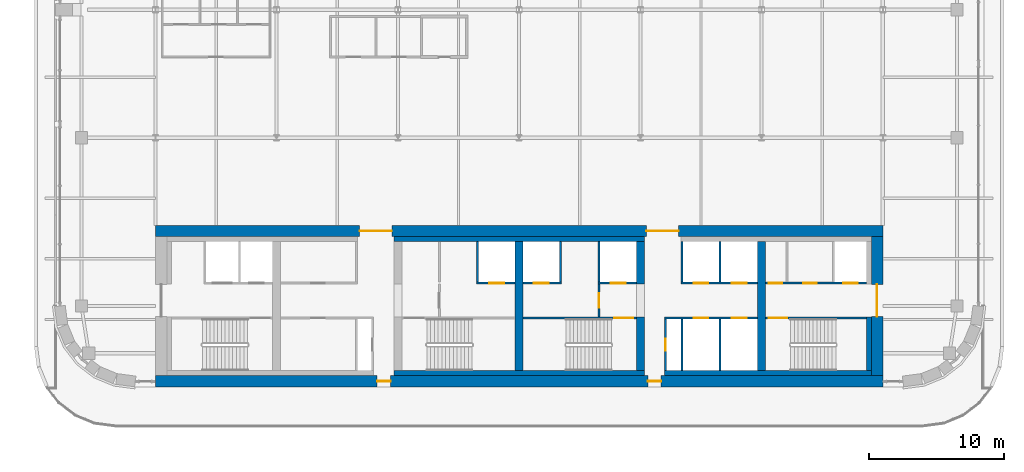
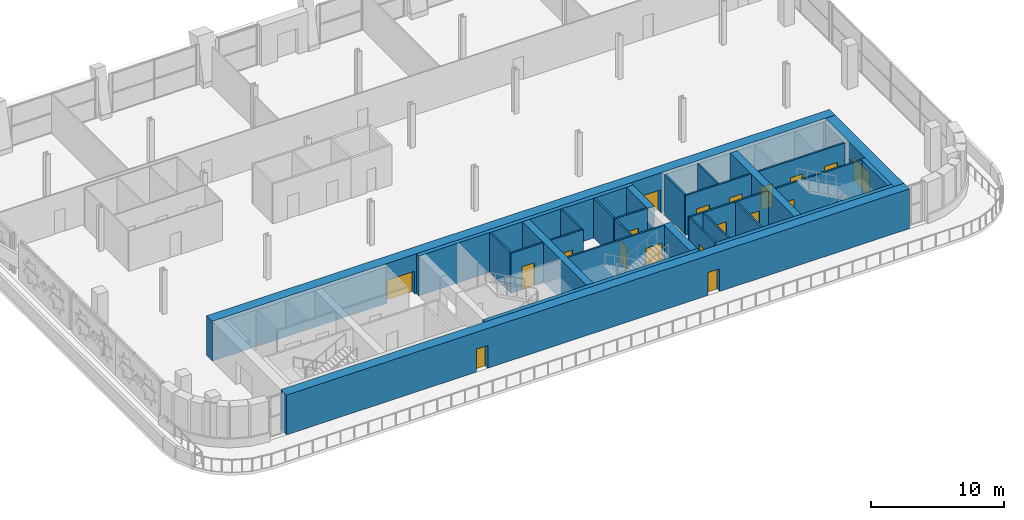
# One storey, part 14 of 23: 28 walls, 19 doors, 19 openings.
"""IFC4 building model written with IfcOpenShell, lengths in metres."""

import ifcopenshell
import ifcopenshell.guid

model = None  # the IFC model being written
_history = None  # IfcOwnerHistory: only IFC2X3 demands one
_inside = {}  # id of a spatial element -> (the spatial element, [elements in it])
_under = {}  # id of a project, library or spatial element -> (it, [spatial elements below it])
_declared = {}  # id of a project -> (the project, [libraries it declares])
_typed = {}  # id of a type object -> (the type object, [elements of that type])
_made_of = {}  # id of a material, layer set ... -> (it, [elements and type objects made of it])


def new_model(schema):
    """Start an empty IFC model of exactly this schema.

    Asked for "IFC4X3", IfcOpenShell would pick the latest addendum, in which some entities
    have other attributes; the version numbers below select the first issue.
    IFC2X3 requires an IfcOwnerHistory on every rooted entity: one is made here for all.
    """
    global model, _history
    if schema == "IFC4X3":
        model = ifcopenshell.file(schema_version=(4, 3, 0, 0))
    else:
        model = ifcopenshell.file(schema=schema)
    _inside.clear()
    _under.clear()
    _declared.clear()
    _typed.clear()
    _made_of.clear()
    _history = None
    if model.schema == "IFC2X3":
        org = make("IfcOrganization", Name="unknown")
        user = make(
            "IfcPersonAndOrganization",
            ThePerson=make("IfcPerson", FamilyName="unknown"),
            TheOrganization=org,
        )
        app = make(
            "IfcApplication",
            ApplicationDeveloper=org,
            Version="unknown",
            ApplicationFullName="unknown",
            ApplicationIdentifier="unknown",
        )
        _history = make(
            "IfcOwnerHistory",
            OwningUser=user,
            OwningApplication=app,
            ChangeAction="ADDED",
            CreationDate=0,
        )
    return model


def make(cls, **values):
    """One entity of the class cls with the attributes given. An attribute that is None is left unset."""
    return model.create_entity(
        cls, **{name: value for name, value in values.items() if value is not None}
    )


def rooted(cls, **values):
    """An entity with a GlobalId (a new one), such as an element, a storey or a relation."""
    return make(cls, GlobalId=ifcopenshell.guid.new(), OwnerHistory=_history, **values)


def si_unit(unit_type, name, prefix=None):
    """IfcSIUnit, for example si_unit("LENGTHUNIT", "METRE", prefix="MILLI")."""
    return make("IfcSIUnit", UnitType=unit_type, Prefix=prefix, Name=name)


def assignment(units):
    """IfcUnitAssignment: the units of a project."""
    return None if units is None else make("IfcUnitAssignment", Units=units)


def point(xyz):
    """IfcCartesianPoint."""
    return None if xyz is None else make("IfcCartesianPoint", Coordinates=xyz)


def direction(xyz):
    """IfcDirection."""
    return None if xyz is None else make("IfcDirection", DirectionRatios=xyz)


def frame(location, z_axis=None, x_axis=None):
    """IfcAxis2Placement3D, a coordinate frame: its origin and axes. An axis left out is left unset."""
    return make(
        "IfcAxis2Placement3D",
        Location=point(location),
        Axis=direction(z_axis),
        RefDirection=direction(x_axis),
    )


def frame_2d(location, x_axis=None):
    """IfcAxis2Placement2D, a coordinate frame in the plane: its origin and x axis."""
    return make(
        "IfcAxis2Placement2D", Location=point(location), RefDirection=direction(x_axis)
    )


def origin():
    """The frame at (0, 0, 0) with its axes left unset."""
    return frame((0.0, 0.0, 0.0))


def place(relative_to, where):
    """IfcLocalPlacement: puts the frame where relative to a parent placement (None: the world)."""
    return make(
        "IfcLocalPlacement", PlacementRelTo=relative_to, RelativePlacement=where
    )


def context(
    kind, dimensions, precision=None, world=None, true_north=None, identifier=None
):
    """IfcGeometricRepresentationContext, for example the 3D "Model" context."""
    return make(
        "IfcGeometricRepresentationContext",
        ContextIdentifier=identifier,
        ContextType=kind,
        CoordinateSpaceDimension=dimensions,
        Precision=precision,
        WorldCoordinateSystem=world,
        TrueNorth=true_north,
    )


def subcontext(parent, identifier, kind, view, scale=None):
    """IfcGeometricRepresentationSubContext, for example "Body" below "Model"."""
    return make(
        "IfcGeometricRepresentationSubContext",
        ContextIdentifier=identifier,
        ContextType=kind,
        ParentContext=parent,
        TargetScale=scale,
        TargetView=view,
    )


def project(units=None, contexts=None):
    """IfcProject with its units and contexts."""
    return rooted(
        "IfcProject",
        Name="project",
        RepresentationContexts=contexts,
        UnitsInContext=assignment(units),
    )


def spatial(cls, under=None, at=None, **own):
    """A site, building, storey or space (cls), placed at a placement, below another one or the project."""
    s = rooted(cls, ObjectPlacement=at, **own)
    if under is not None:
        _under.setdefault(under.id(), (under, []))[1].append(s)
    return s


def profile(cls, at=None, kind="AREA", **sizes):
    """A parametric profile (cls). Its sizes go by their IFC names, for example OverallWidth=200.0."""
    return make(cls, ProfileType=kind, Position=at, **sizes)


def rectangle(**sizes):
    """IfcRectangleProfileDef."""
    return profile("IfcRectangleProfileDef", **sizes)


def extrude(swept, where, along, depth):
    """IfcExtrudedAreaSolid: the profile swept, set in the frame where, extruded along a direction by depth."""
    return make(
        "IfcExtrudedAreaSolid",
        SweptArea=swept,
        Position=where,
        ExtrudedDirection=direction(along),
        Depth=depth,
    )


def shape(context_of_items, identifier, shape_type, items):
    """IfcShapeRepresentation: the items that make up one representation, for example the "Body"."""
    return make(
        "IfcShapeRepresentation",
        ContextOfItems=context_of_items,
        RepresentationIdentifier=identifier,
        RepresentationType=shape_type,
        Items=items,
    )


def material(Name=None, Category=None):
    """IfcMaterial."""
    return make("IfcMaterial", Name=Name, Category=Category)


def layer(
    of_material, thickness, ventilated=None, Name=None, Category=None, Priority=None
):
    """IfcMaterialLayer: one layer of a wall or slab, of a material (None: an air gap)."""
    return make(
        "IfcMaterialLayer",
        Material=of_material,
        LayerThickness=thickness,
        IsVentilated=ventilated,
        Name=Name,
        Category=Category,
        Priority=Priority,
    )


def layer_set(layers, Name=None):
    """IfcMaterialLayerSet."""
    return make("IfcMaterialLayerSet", MaterialLayers=layers, LayerSetName=Name)


def made_of(thing, what):
    """Note that an element or type object is made of a material, layer set ...; save() writes the relation."""
    if what is not None:
        _made_of.setdefault(what.id(), (what, []))[1].append(thing)
    return thing


def type_object(cls, material=None, **own):
    """A type object (cls), such as IfcWallType, which elements share."""
    return made_of(rooted(cls, **own), material)


def element(
    cls,
    number,
    at=None,
    inside=None,
    cuts=None,
    type_object=None,
    material=None,
    context=None,
    identifier="Body",
    shape_type=None,
    held_by="IfcProductDefinitionShape",
    body=None,
    shapes=None,
    **own,
):
    """One element of the class cls, such as IfcWall. Its Tag is "e" and its number.

    at: its placement. inside: the storey or other place that contains it. cuts: it is an
    opening in that element (IfcRelVoidsElement). A single representation is given by context,
    identifier, shape_type and body (its items); several are given by shapes. held_by: the class
    of the entity that holds the representations. save() writes the other relations.
    """
    e = rooted(cls, Tag="e%d" % number, ObjectPlacement=at, **own)
    if body is not None:
        shapes = [shape(context, identifier, shape_type, body)]
    if shapes is not None:
        e.Representation = make(held_by, Representations=shapes)
    if inside is not None:
        _inside.setdefault(inside.id(), (inside, []))[1].append(e)
    if cuts is not None:
        rooted(
            "IfcRelVoidsElement", RelatingBuildingElement=cuts, RelatedOpeningElement=e
        )
    if type_object is not None:
        _typed.setdefault(type_object.id(), (type_object, []))[1].append(e)
    return made_of(e, material)


def fill(opening, filler):
    """IfcRelFillsElement: the door or window that sits in an opening."""
    return rooted(
        "IfcRelFillsElement",
        RelatingOpeningElement=opening,
        RelatedBuildingElement=filler,
    )


def aggregate(whole, parts):
    """IfcRelAggregates: a whole, such as a stair, and the parts it consists of."""
    return rooted("IfcRelAggregates", RelatingObject=whole, RelatedObjects=parts)


def save(model, path):
    """Write the relations noted so far, then the file.

    IfcRelAggregates (storeys below a building ...), IfcRelContainedInSpatialStructure (elements
    in a storey), IfcRelDefinesByType, IfcRelAssociatesMaterial and IfcRelDeclares: one each for
    every whole, place, type object, material and project.
    """
    for whole, parts in _under.values():
        aggregate(whole, parts)
    for where, things in _inside.values():
        rooted(
            "IfcRelContainedInSpatialStructure",
            RelatedElements=things,
            RelatingStructure=where,
        )
    for kind, things in _typed.values():
        rooted("IfcRelDefinesByType", RelatedObjects=things, RelatingType=kind)
    for what, things in _made_of.values():
        rooted("IfcRelAssociatesMaterial", RelatedObjects=things, RelatingMaterial=what)
    for by, libraries in _declared.values():
        rooted("IfcRelDeclares", RelatingContext=by, RelatedDefinitions=libraries)
    model.write(path)


model = new_model("IFC4")

# Units and contexts
model_context = context("Model", 3, precision=1e-05, world=origin(), true_north=direction((0.0, 1.0)))
body_context = subcontext(model_context, "Body", "Model", "MODEL_VIEW")
ifc_project = project(units=[si_unit("LENGTHUNIT", "METRE"), si_unit("AREAUNIT", "SQUARE_METRE"), si_unit("VOLUMEUNIT", "CUBIC_METRE"), si_unit("PLANEANGLEUNIT", "RADIAN"), si_unit("MASSUNIT", "GRAM", prefix="KILO")], contexts=[model_context])

# Site, building, storey
site_placement = place(None, origin())
site = spatial("IfcSite", under=ifc_project, at=site_placement, CompositionType="ELEMENT")
building_placement = place(site_placement, origin())
building = spatial("IfcBuilding", under=site, at=building_placement, Name="Zellij Exchange Tower", CompositionType="ELEMENT")
storey_placement = place(building_placement, frame((0.0, 0.0, 212.5)))
storey = spatial("IfcBuildingStorey", under=building, at=storey_placement, Name="L49", CompositionType="ELEMENT", Elevation=212.5)

# Walls
ifc_material_1 = material(Name="Concrete C60/75", Category="concrete")
ifc_layer_1 = layer(ifc_material_1, 0.60009765625)
ifc_layer_set_1 = layer_set([ifc_layer_1], Name="Concrete C60/75")
wall_type_1 = type_object("IfcWallType", Name="CORE-CW 600 C60/75", PredefinedType="SHEAR", material=ifc_layer_set_1)
wall_1_placement = place(storey_placement, frame((0.0, -12.800048828125, 0.0), z_axis=(0.0, 0.0, 1.0), x_axis=(0.0, 1.0, 0.0)))
element("IfcWall", 1, at=wall_1_placement, inside=storey, type_object=wall_type_1, Name="Core cross wall x 0 L49", PredefinedType="SHEAR", context=body_context, shape_type="SweptSolid", body=[
    extrude(rectangle(XDim=9.60009765625, YDim=0.60009765625, at=frame_2d((4.800048828125, 0.0))), origin(), (0.0, 0.0, 1.0), 3.64990234375),
])
wall_2_placement = place(storey_placement, frame((9.0, -12.800048828125, 0.0), z_axis=(0.0, 0.0, 1.0), x_axis=(0.0, 1.0, 0.0)))
element("IfcWall", 2, at=wall_2_placement, inside=storey, type_object=wall_type_1, Name="Core cross wall pier x 9 a L49", PredefinedType="SHEAR", context=body_context, shape_type="SweptSolid", body=[
    extrude(rectangle(XDim=4.0, YDim=0.60009765625, at=frame_2d((2.0, 0.0))), origin(), (0.0, 0.0, 1.0), 3.64990234375),
])
wall_3_placement = place(storey_placement, frame((9.0, -6.375, 0.0), z_axis=(0.0, 0.0, 1.0), x_axis=(0.0, 1.0, 0.0)))
element("IfcWall", 3, at=wall_3_placement, inside=storey, type_object=wall_type_1, Name="Core cross wall pier x 9 b L49", PredefinedType="SHEAR", context=body_context, shape_type="SweptSolid", body=[
    extrude(rectangle(XDim=3.175048828125, YDim=0.60009765625, at=frame_2d((1.58740234375, 0.0))), origin(), (0.0, 0.0, 1.0), 3.64990234375),
])
wall_4_placement = place(storey_placement, frame((18.0, -12.800048828125, 0.0), z_axis=(0.0, 0.0, 1.0), x_axis=(0.0, 1.0, 0.0)))
element("IfcWall", 4, at=wall_4_placement, inside=storey, type_object=wall_type_1, Name="Core cross wall x 18 L49", PredefinedType="SHEAR", context=body_context, shape_type="SweptSolid", body=[
    extrude(rectangle(XDim=9.60009765625, YDim=0.60009765625, at=frame_2d((4.800048828125, 0.0))), origin(), (0.0, 0.0, 1.0), 3.64990234375),
])
ifc_material_2 = material(Name="Concrete C30/37", Category="concrete")
ifc_layer_2 = layer(ifc_material_2, 0.35009765625)
ifc_layer_set_2 = layer_set([ifc_layer_2], Name="Concrete C30/37")
wall_type_2 = type_object("IfcWallType", Name="CORE-LW 350 C30/37", PredefinedType="SHEAR", material=ifc_layer_set_2)
for number, where, z_axis, x_axis, name in (
    (5, (-9.300048828125, -3.02490234375, 0.0), (0.0, 0.0, 1.0), (1.0, 0.0, 0.0), "Core wall lining front.1 L49"),
    (6, (-9.300048828125, -12.97509765625, 0.0), (0.0, 0.0, 1.0), (1.0, 0.0, 0.0), "Core wall lining rear.1 L49"),
):
    element("IfcWall", number, at=place(storey_placement, frame(where, z_axis=z_axis, x_axis=x_axis)), inside=storey, type_object=wall_type_2, Name=name, PredefinedType="SHEAR", context=body_context, shape_type="SweptSolid", body=[
        extrude(rectangle(XDim=18.60009765625, YDim=0.35009765625, at=frame_2d((9.300048828125, 0.0))), origin(), (0.0, 0.0, 1.0), 3.64990234375),
    ])
wall_5_placement = place(storey_placement, frame((10.800048828125, -12.97509765625, 0.0), z_axis=(0.0, 0.0, 1.0), x_axis=(1.0, 0.0, 0.0)))
element("IfcWall", 7, at=wall_5_placement, inside=storey, type_object=wall_type_2, Name="Core wall lining rear.2 L49", PredefinedType="SHEAR", context=body_context, shape_type="SweptSolid", body=[
    extrude(rectangle(XDim=15.349853515625, YDim=0.35009765625, at=frame_2d((7.6748046875, 0.0))), origin(), (0.0, 0.0, 1.0), 3.64990234375),
])
wall_6_placement = place(storey_placement, frame((25.97509765625, -12.800048828125, 0.0), z_axis=(0.0, 0.0, 1.0), x_axis=(0.0, 1.0, 0.0)))
element("IfcWall", 8, at=wall_6_placement, inside=storey, type_object=wall_type_2, Name="Core wall lining end e.0 L49", PredefinedType="SHEAR", context=body_context, shape_type="SweptSolid", body=[
    extrude(rectangle(XDim=4.0, YDim=0.35009765625, at=frame_2d((2.0, 0.0))), origin(), (0.0, 0.0, 1.0), 3.64990234375),
])

# Wall, opening, door
ifc_material_3 = material(Name="Gypsum shaft wall system")
ifc_layer_3 = layer(ifc_material_3, 0.14990234375)
ifc_layer_set_3 = layer_set([ifc_layer_3], Name="Gypsum shaft wall system")
wall_type_3 = type_object("IfcWallType", Name="CORE-PW 150 Firefighting lobby wall", PredefinedType="PARTITIONING", material=ifc_layer_set_3)
wall_7_placement = place(storey_placement, frame((5.925048828125, -8.800048828125, 0.0), z_axis=(0.0, 0.0, 1.0), x_axis=(0.0, 1.0, 0.0)))
wall_7 = element("IfcWall", 9, at=wall_7_placement, inside=storey, type_object=wall_type_3, Name="Firefighting lobby wall L49", PredefinedType="PARTITIONING", context=body_context, shape_type="SweptSolid", body=[
    extrude(rectangle(XDim=2.425048828125, YDim=0.14990234375, at=frame_2d((1.21240234375, 0.0))), origin(), (0.0, 0.0, 1.0), 3.64990234375),
])
opening_1_placement = place(wall_7_placement, frame((0.662109375, 0.0, 0.0)))
opening_1 = element("IfcOpeningElement", 10, at=opening_1_placement, cuts=wall_7, Name="Opening CA-26.14", PredefinedType="OPENING", context=body_context, shape_type="SweptSolid", body=[
    extrude(rectangle(XDim=1.10009765625, YDim=2.10009765625, at=frame_2d((0.550048828125, 1.050048828125))), frame((0.0, 0.0869140625, 0.0), z_axis=(0.0, -1.0, 0.0), x_axis=(1.0, 0.0, 0.0)), (0.0, 0.0, 1.0), 0.173828125),
])
ifc_material_4 = material(Name="Hollow metal fire door")
door_type_1 = type_object("IfcDoorType", Name="CORE-D F Firefighting lobby door 1100x2100 1 HR", OperationType="NOTDEFINED", PredefinedType="DOOR", material=ifc_material_4)
door_1_placement = place(opening_1_placement, origin())
door_1 = element("IfcDoor", 11, at=door_1_placement, inside=storey, type_object=door_type_1, Name="Firefighting lobby door CA-26.14", OperationType="SINGLE_SWING_RIGHT", OverallHeight=2.10009765625, OverallWidth=1.10009765625, PredefinedType="DOOR", context=body_context, shape_type="SweptSolid", body=[
    extrude(rectangle(XDim=1.10009765625, YDim=2.10009765625, at=frame_2d((0.550048828125, 1.050048828125))), frame((0.0, 0.02490234375, 0.0), z_axis=(0.0, -1.0, 0.0), x_axis=(1.0, 0.0, 0.0)), (0.0, 0.0, 1.0), 0.050048828125),
])
fill(opening_1, door_1)

ifc_material_5 = material(Name="Gypsum board partition")
ifc_layer_4 = layer(ifc_material_5, 0.14990234375)
ifc_layer_set_4 = layer_set([ifc_layer_4], Name="Gypsum board partition")
wall_type_4 = type_object("IfcWallType", Name="CORE-PW 150 Lift lobby wall", PredefinedType="PARTITIONING", material=ifc_layer_set_4)
wall_8_placement = place(storey_placement, frame((10.875, -12.800048828125, 0.0), z_axis=(0.0, 0.0, 1.0), x_axis=(0.0, 1.0, 0.0)))
wall_8 = element("IfcWall", 12, at=wall_8_placement, inside=storey, type_object=wall_type_4, Name="Lift lobby wall L49", PredefinedType="PARTITIONING", context=body_context, shape_type="SweptSolid", body=[
    extrude(rectangle(XDim=3.85009765625, YDim=0.14990234375, at=frame_2d((1.925048828125, 0.0))), origin(), (0.0, 0.0, 1.0), 3.64990234375),
])
opening_2_placement = place(wall_8_placement, frame((1.47509765625, 0.0, 0.0)))
opening_2 = element("IfcOpeningElement", 13, at=opening_2_placement, cuts=wall_8, Name="Opening CA-26.19", PredefinedType="OPENING", context=body_context, shape_type="SweptSolid", body=[
    extrude(rectangle(XDim=0.89990234375, YDim=2.10009765625, at=frame_2d((0.449951171875, 1.050048828125))), frame((0.0, 0.0869140625, 0.0), z_axis=(0.0, -1.0, 0.0), x_axis=(1.0, 0.0, 0.0)), (0.0, 0.0, 1.0), 0.173828125),
])
door_type_2 = type_object("IfcDoorType", Name="CORE-D RD Riser door 900x2100 1.5 HR", OperationType="NOTDEFINED", PredefinedType="DOOR", material=ifc_material_4)
door_2_placement = place(opening_2_placement, origin())
door_2 = element("IfcDoor", 14, at=door_2_placement, inside=storey, type_object=door_type_2, Name="Riser door CA-26.19", OperationType="SINGLE_SWING_LEFT", OverallHeight=2.10009765625, OverallWidth=0.89990234375, PredefinedType="DOOR", context=body_context, shape_type="SweptSolid", body=[
    extrude(rectangle(XDim=0.89990234375, YDim=2.10009765625, at=frame_2d((0.449951171875, 1.050048828125))), frame((0.0, 0.02490234375, 0.0), z_axis=(0.0, -1.0, 0.0), x_axis=(1.0, 0.0, 0.0)), (0.0, 0.0, 1.0), 0.050048828125),
])
fill(opening_2, door_2)

# Walls
ifc_layer_5 = layer(ifc_material_3, 0.14990234375)
ifc_layer_set_5 = layer_set([ifc_layer_5], Name="Gypsum shaft wall system")
wall_type_5 = type_object("IfcWallType", Name="CORE-PW 150 Lift shaft wall", PredefinedType="PARTITIONING", material=ifc_layer_set_5)
for number, where, z_axis, x_axis, name in (
    (15, (-3.074951171875, -6.22509765625, 0.0), (0.0, 0.0, 1.0), (0.0, 1.0, 0.0), "Lift shaft wall L49"),
    (16, (3.074951171875, -6.22509765625, 0.0), (0.0, 0.0, 1.0), (0.0, 1.0, 0.0), "Lift shaft wall L49"),
    (17, (5.925048828125, -6.22509765625, 0.0), (0.0, 0.0, 1.0), (0.0, 1.0, 0.0), "Lift shaft wall L49"),
    (18, (12.074951171875, -6.22509765625, 0.0), (0.0, 0.0, 1.0), (0.0, 1.0, 0.0), "Lift shaft wall L49"),
    (19, (14.925048828125, -6.22509765625, 0.0), (0.0, 0.0, 1.0), (0.0, 1.0, 0.0), "Lift shaft wall L49"),
):
    element("IfcWall", number, at=place(storey_placement, frame(where, z_axis=z_axis, x_axis=x_axis)), inside=storey, type_object=wall_type_5, Name=name, PredefinedType="PARTITIONING", context=body_context, shape_type="SweptSolid", body=[
        extrude(rectangle(XDim=3.025146484375, YDim=0.14990234375, at=frame_2d((1.5126953125, 0.0))), origin(), (0.0, 0.0, 1.0), 3.64990234375),
    ])
for number, where, z_axis, x_axis, name in (
    (20, (12.074951171875, -12.800048828125, 0.0), (0.0, 0.0, 1.0), (0.0, 1.0, 0.0), "Lift shaft wall L49"),
    (21, (14.925048828125, -12.800048828125, 0.0), (0.0, 0.0, 1.0), (0.0, 1.0, 0.0), "Lift shaft wall L49"),
):
    element("IfcWall", number, at=place(storey_placement, frame(where, z_axis=z_axis, x_axis=x_axis)), inside=storey, type_object=wall_type_5, Name=name, PredefinedType="PARTITIONING", context=body_context, shape_type="SweptSolid", body=[
        extrude(rectangle(XDim=3.85009765625, YDim=0.14990234375, at=frame_2d((1.925048828125, 0.0))), origin(), (0.0, 0.0, 1.0), 3.64990234375),
    ])

# Wall, opening, door
wall_9_placement = place(storey_placement, frame((-3.14990234375, -6.300048828125, 0.0), z_axis=(0.0, 0.0, 1.0), x_axis=(1.0, 0.0, 0.0)))
wall_9 = element("IfcWall", 22, at=wall_9_placement, inside=storey, type_object=wall_type_5, Name="Lift shaft wall L49", PredefinedType="PARTITIONING", context=body_context, shape_type="SweptSolid", body=[
    extrude(rectangle(XDim=2.849853515625, YDim=0.14990234375, at=frame_2d((1.4248046875, 0.0))), origin(), (0.0, 0.0, 1.0), 3.64990234375),
])
opening_3_placement = place(wall_9_placement, frame((0.949951171875, 0.0, 0.0)))
opening_3 = element("IfcOpeningElement", 23, at=opening_3_placement, cuts=wall_9, Name="Opening CA-26.12", PredefinedType="OPENING", context=body_context, shape_type="SweptSolid", body=[
    extrude(rectangle(XDim=1.10009765625, YDim=2.10009765625, at=frame_2d((0.550048828125, 1.050048828125))), frame((0.0, 0.0869140625, 0.0), z_axis=(0.0, -1.0, 0.0), x_axis=(1.0, 0.0, 0.0)), (0.0, 0.0, 1.0), 0.173828125),
])
door_type_3 = type_object("IfcDoorType", Name="CORE-D LD Lift landing door 1100x2100 1.5 HR", OperationType="NOTDEFINED", PredefinedType="DOOR", material=ifc_material_4)
door_3_placement = place(opening_3_placement, origin())
door_3 = element("IfcDoor", 24, at=door_3_placement, inside=storey, type_object=door_type_3, Name="Lift landing door CA-26.12", OperationType="SLIDING_TO_RIGHT", OverallHeight=2.10009765625, OverallWidth=1.10009765625, PredefinedType="DOOR", context=body_context, shape_type="SweptSolid", body=[
    extrude(rectangle(XDim=1.10009765625, YDim=2.10009765625, at=frame_2d((0.550048828125, 1.050048828125))), frame((0.0, 0.02490234375, 0.0), z_axis=(0.0, -1.0, 0.0), x_axis=(1.0, 0.0, 0.0)), (0.0, 0.0, 1.0), 0.050048828125),
])
fill(opening_3, door_3)

wall_10_placement = place(storey_placement, frame((0.300048828125, -6.300048828125, 0.0), z_axis=(0.0, 0.0, 1.0), x_axis=(1.0, 0.0, 0.0)))
wall_10 = element("IfcWall", 25, at=wall_10_placement, inside=storey, type_object=wall_type_5, Name="Lift shaft wall L49", PredefinedType="PARTITIONING", context=body_context, shape_type="SweptSolid", body=[
    extrude(rectangle(XDim=2.849853515625, YDim=0.14990234375, at=frame_2d((1.4248046875, 0.0))), origin(), (0.0, 0.0, 1.0), 3.64990234375),
])
opening_4_placement = place(wall_10_placement, frame((0.800048828125, 0.0, 0.0)))
opening_4 = element("IfcOpeningElement", 26, at=opening_4_placement, cuts=wall_10, Name="Opening CA-26.13", PredefinedType="OPENING", context=body_context, shape_type="SweptSolid", body=[
    extrude(rectangle(XDim=1.10009765625, YDim=2.10009765625, at=frame_2d((0.550048828125, 1.050048828125))), frame((0.0, 0.0869140625, 0.0), z_axis=(0.0, -1.0, 0.0), x_axis=(1.0, 0.0, 0.0)), (0.0, 0.0, 1.0), 0.173828125),
])
door_4_placement = place(opening_4_placement, origin())
door_4 = element("IfcDoor", 27, at=door_4_placement, inside=storey, type_object=door_type_3, Name="Lift landing door CA-26.13", OperationType="SLIDING_TO_LEFT", OverallHeight=2.10009765625, OverallWidth=1.10009765625, PredefinedType="DOOR", context=body_context, shape_type="SweptSolid", body=[
    extrude(rectangle(XDim=1.10009765625, YDim=2.10009765625, at=frame_2d((0.550048828125, 1.050048828125))), frame((0.0, 0.02490234375, 0.0), z_axis=(0.0, -1.0, 0.0), x_axis=(1.0, 0.0, 0.0)), (0.0, 0.0, 1.0), 0.050048828125),
])
fill(opening_4, door_4)

wall_11_placement = place(storey_placement, frame((5.85009765625, -6.300048828125, 0.0), z_axis=(0.0, 0.0, 1.0), x_axis=(1.0, 0.0, 0.0)))
wall_11 = element("IfcWall", 28, at=wall_11_placement, inside=storey, type_object=wall_type_5, Name="Lift shaft wall L49", PredefinedType="PARTITIONING", context=body_context, shape_type="SweptSolid", body=[
    extrude(rectangle(XDim=2.849853515625, YDim=0.14990234375, at=frame_2d((1.4248046875, 0.0))), origin(), (0.0, 0.0, 1.0), 3.64990234375),
])
opening_5_placement = place(wall_11_placement, frame((0.949951171875, 0.0, 0.0)))
opening_5 = element("IfcOpeningElement", 29, at=opening_5_placement, cuts=wall_11, Name="Opening CA-26.15", PredefinedType="OPENING", context=body_context, shape_type="SweptSolid", body=[
    extrude(rectangle(XDim=1.10009765625, YDim=2.10009765625, at=frame_2d((0.550048828125, 1.050048828125))), frame((0.0, 0.0869140625, 0.0), z_axis=(0.0, -1.0, 0.0), x_axis=(1.0, 0.0, 0.0)), (0.0, 0.0, 1.0), 0.173828125),
])
door_5_placement = place(opening_5_placement, origin())
door_5 = element("IfcDoor", 30, at=door_5_placement, inside=storey, type_object=door_type_3, Name="Lift landing door CA-26.15", OperationType="SLIDING_TO_LEFT", OverallHeight=2.10009765625, OverallWidth=1.10009765625, PredefinedType="DOOR", context=body_context, shape_type="SweptSolid", body=[
    extrude(rectangle(XDim=1.10009765625, YDim=2.10009765625, at=frame_2d((0.550048828125, 1.050048828125))), frame((0.0, 0.02490234375, 0.0), z_axis=(0.0, -1.0, 0.0), x_axis=(1.0, 0.0, 0.0)), (0.0, 0.0, 1.0), 0.050048828125),
])
fill(opening_5, door_5)

# Wall, openings, doors
wall_12_placement = place(storey_placement, frame((12.0, -6.300048828125, 0.0), z_axis=(0.0, 0.0, 1.0), x_axis=(1.0, 0.0, 0.0)))
wall_12 = element("IfcWall", 31, at=wall_12_placement, inside=storey, type_object=wall_type_5, Name="Lift shaft wall L49", PredefinedType="PARTITIONING", context=body_context, shape_type="SweptSolid", body=[
    extrude(rectangle(XDim=5.699951171875, YDim=0.14990234375, at=frame_2d((2.85009765625, 0.0))), origin(), (0.0, 0.0, 1.0), 3.64990234375),
])
opening_6_placement = place(wall_12_placement, frame((0.949951171875, 0.0, 0.0)))
opening_6 = element("IfcOpeningElement", 32, at=opening_6_placement, cuts=wall_12, Name="Opening CA-26.21", PredefinedType="OPENING", context=body_context, shape_type="SweptSolid", body=[
    extrude(rectangle(XDim=1.10009765625, YDim=2.10009765625, at=frame_2d((0.550048828125, 1.050048828125))), frame((0.0, 0.0869140625, 0.0), z_axis=(0.0, -1.0, 0.0), x_axis=(1.0, 0.0, 0.0)), (0.0, 0.0, 1.0), 0.173828125),
])
opening_7_placement = place(wall_12_placement, frame((3.800048828125, 0.0, 0.0)))
opening_7 = element("IfcOpeningElement", 33, at=opening_7_placement, cuts=wall_12, Name="Opening CA-26.23", PredefinedType="OPENING", context=body_context, shape_type="SweptSolid", body=[
    extrude(rectangle(XDim=1.10009765625, YDim=2.10009765625, at=frame_2d((0.550048828125, 1.050048828125))), frame((0.0, 0.0869140625, 0.0), z_axis=(0.0, -1.0, 0.0), x_axis=(1.0, 0.0, 0.0)), (0.0, 0.0, 1.0), 0.173828125),
])
door_6_placement = place(opening_6_placement, origin())
door_6 = element("IfcDoor", 34, at=door_6_placement, inside=storey, type_object=door_type_3, Name="Lift landing door CA-26.21", OperationType="SLIDING_TO_LEFT", OverallHeight=2.10009765625, OverallWidth=1.10009765625, PredefinedType="DOOR", context=body_context, shape_type="SweptSolid", body=[
    extrude(rectangle(XDim=1.10009765625, YDim=2.10009765625, at=frame_2d((0.550048828125, 1.050048828125))), frame((0.0, 0.02490234375, 0.0), z_axis=(0.0, -1.0, 0.0), x_axis=(1.0, 0.0, 0.0)), (0.0, 0.0, 1.0), 0.050048828125),
])
fill(opening_6, door_6)
door_7_placement = place(opening_7_placement, origin())
door_7 = element("IfcDoor", 35, at=door_7_placement, inside=storey, type_object=door_type_3, Name="Lift landing door CA-26.23", OperationType="SLIDING_TO_LEFT", OverallHeight=2.10009765625, OverallWidth=1.10009765625, PredefinedType="DOOR", context=body_context, shape_type="SweptSolid", body=[
    extrude(rectangle(XDim=1.10009765625, YDim=2.10009765625, at=frame_2d((0.550048828125, 1.050048828125))), frame((0.0, 0.02490234375, 0.0), z_axis=(0.0, -1.0, 0.0), x_axis=(1.0, 0.0, 0.0)), (0.0, 0.0, 1.0), 0.050048828125),
])
fill(opening_7, door_7)

wall_13_placement = place(storey_placement, frame((18.300048828125, -6.300048828125, 0.0), z_axis=(0.0, 0.0, 1.0), x_axis=(1.0, 0.0, 0.0)))
wall_13 = element("IfcWall", 36, at=wall_13_placement, inside=storey, type_object=wall_type_5, Name="Lift shaft wall L49", PredefinedType="PARTITIONING", context=body_context, shape_type="SweptSolid", body=[
    extrude(rectangle(XDim=7.5, YDim=0.14990234375, at=frame_2d((3.75, 0.0))), origin(), (0.0, 0.0, 1.0), 3.64990234375),
])
opening_8_placement = place(wall_13_placement, frame((0.25, 0.0, 0.0)))
opening_8 = element("IfcOpeningElement", 37, at=opening_8_placement, cuts=wall_13, Name="Opening CA-26.24", PredefinedType="OPENING", context=body_context, shape_type="SweptSolid", body=[
    extrude(rectangle(XDim=1.0, YDim=2.10009765625, at=frame_2d((0.5, 1.050048828125))), frame((0.0, 0.0869140625, 0.0), z_axis=(0.0, -1.0, 0.0), x_axis=(1.0, 0.0, 0.0)), (0.0, 0.0, 1.0), 0.173828125),
])
opening_9_placement = place(wall_13_placement, frame((2.800048828125, 0.0, 0.0)))
opening_9 = element("IfcOpeningElement", 38, at=opening_9_placement, cuts=wall_13, Name="Opening CA-26.26", PredefinedType="OPENING", context=body_context, shape_type="SweptSolid", body=[
    extrude(rectangle(XDim=1.0, YDim=2.10009765625, at=frame_2d((0.5, 1.050048828125))), frame((0.0, 0.0869140625, 0.0), z_axis=(0.0, -1.0, 0.0), x_axis=(1.0, 0.0, 0.0)), (0.0, 0.0, 1.0), 0.173828125),
])
opening_10_placement = place(wall_13_placement, frame((5.75, 0.0, 0.0)))
opening_10 = element("IfcOpeningElement", 39, at=opening_10_placement, cuts=wall_13, Name="Opening CA-26.27", PredefinedType="OPENING", context=body_context, shape_type="SweptSolid", body=[
    extrude(rectangle(XDim=1.10009765625, YDim=2.10009765625, at=frame_2d((0.550048828125, 1.050048828125))), frame((0.0, 0.0869140625, 0.0), z_axis=(0.0, -1.0, 0.0), x_axis=(1.0, 0.0, 0.0)), (0.0, 0.0, 1.0), 0.173828125),
])
door_type_4 = type_object("IfcDoorType", Name="CORE-D CD Core room door 1000x2100 1 HR", OperationType="NOTDEFINED", PredefinedType="DOOR", material=ifc_material_4)
door_8_placement = place(opening_8_placement, origin())
door_8 = element("IfcDoor", 40, at=door_8_placement, inside=storey, type_object=door_type_4, Name="Core room door CA-26.24", OperationType="SINGLE_SWING_LEFT", OverallHeight=2.10009765625, OverallWidth=1.0, PredefinedType="DOOR", context=body_context, shape_type="SweptSolid", body=[
    extrude(rectangle(XDim=1.0, YDim=2.10009765625, at=frame_2d((0.5, 1.050048828125))), frame((0.0, 0.02490234375, 0.0), z_axis=(0.0, -1.0, 0.0), x_axis=(1.0, 0.0, 0.0)), (0.0, 0.0, 1.0), 0.050048828125),
])
fill(opening_8, door_8)
door_9_placement = place(opening_9_placement, origin())
door_9 = element("IfcDoor", 41, at=door_9_placement, inside=storey, type_object=door_type_4, Name="Core room door CA-26.26", OperationType="SINGLE_SWING_LEFT", OverallHeight=2.10009765625, OverallWidth=1.0, PredefinedType="DOOR", context=body_context, shape_type="SweptSolid", body=[
    extrude(rectangle(XDim=1.0, YDim=2.10009765625, at=frame_2d((0.5, 1.050048828125))), frame((0.0, 0.02490234375, 0.0), z_axis=(0.0, -1.0, 0.0), x_axis=(1.0, 0.0, 0.0)), (0.0, 0.0, 1.0), 0.050048828125),
])
fill(opening_9, door_9)
door_10_placement = place(opening_10_placement, origin())
door_10 = element("IfcDoor", 42, at=door_10_placement, inside=storey, type_object=door_type_3, Name="Lift landing door CA-26.27", OperationType="SLIDING_TO_LEFT", OverallHeight=2.10009765625, OverallWidth=1.10009765625, PredefinedType="DOOR", context=body_context, shape_type="SweptSolid", body=[
    extrude(rectangle(XDim=1.10009765625, YDim=2.10009765625, at=frame_2d((0.550048828125, 1.050048828125))), frame((0.0, 0.02490234375, 0.0), z_axis=(0.0, -1.0, 0.0), x_axis=(1.0, 0.0, 0.0)), (0.0, 0.0, 1.0), 0.050048828125),
])
fill(opening_10, door_10)

wall_14_placement = place(storey_placement, frame((10.800048828125, -8.875, 0.0), z_axis=(0.0, 0.0, 1.0), x_axis=(1.0, 0.0, 0.0)))
wall_14 = element("IfcWall", 43, at=wall_14_placement, inside=storey, type_object=wall_type_5, Name="Lift shaft wall L49", PredefinedType="PARTITIONING", context=body_context, shape_type="SweptSolid", body=[
    extrude(rectangle(XDim=6.89990234375, YDim=0.14990234375, at=frame_2d((3.449951171875, 0.0))), origin(), (0.0, 0.0, 1.0), 3.64990234375),
])
opening_11_placement = place(wall_14_placement, frame((2.14990234375, 0.0, 0.0)))
opening_11 = element("IfcOpeningElement", 44, at=opening_11_placement, cuts=wall_14, Name="Opening CA-26.20", PredefinedType="OPENING", context=body_context, shape_type="SweptSolid", body=[
    extrude(rectangle(XDim=1.10009765625, YDim=2.10009765625, at=frame_2d((0.550048828125, 1.050048828125))), frame((0.0, 0.0869140625, 0.0), z_axis=(0.0, -1.0, 0.0), x_axis=(1.0, 0.0, 0.0)), (0.0, 0.0, 1.0), 0.173828125),
])
opening_12_placement = place(wall_14_placement, frame((5.0, 0.0, 0.0)))
opening_12 = element("IfcOpeningElement", 45, at=opening_12_placement, cuts=wall_14, Name="Opening CA-26.22", PredefinedType="OPENING", context=body_context, shape_type="SweptSolid", body=[
    extrude(rectangle(XDim=1.10009765625, YDim=2.10009765625, at=frame_2d((0.550048828125, 1.050048828125))), frame((0.0, 0.0869140625, 0.0), z_axis=(0.0, -1.0, 0.0), x_axis=(1.0, 0.0, 0.0)), (0.0, 0.0, 1.0), 0.173828125),
])
door_11_placement = place(opening_11_placement, origin())
door_11 = element("IfcDoor", 46, at=door_11_placement, inside=storey, type_object=door_type_3, Name="Lift landing door CA-26.20", OperationType="SLIDING_TO_RIGHT", OverallHeight=2.10009765625, OverallWidth=1.10009765625, PredefinedType="DOOR", context=body_context, shape_type="SweptSolid", body=[
    extrude(rectangle(XDim=1.10009765625, YDim=2.10009765625, at=frame_2d((0.550048828125, 1.050048828125))), frame((0.0, 0.02490234375, 0.0), z_axis=(0.0, -1.0, 0.0), x_axis=(1.0, 0.0, 0.0)), (0.0, 0.0, 1.0), 0.050048828125),
])
fill(opening_11, door_11)
door_12_placement = place(opening_12_placement, origin())
door_12 = element("IfcDoor", 47, at=door_12_placement, inside=storey, type_object=door_type_3, Name="Lift landing door CA-26.22", OperationType="SLIDING_TO_RIGHT", OverallHeight=2.10009765625, OverallWidth=1.10009765625, PredefinedType="DOOR", context=body_context, shape_type="SweptSolid", body=[
    extrude(rectangle(XDim=1.10009765625, YDim=2.10009765625, at=frame_2d((0.550048828125, 1.050048828125))), frame((0.0, 0.02490234375, 0.0), z_axis=(0.0, -1.0, 0.0), x_axis=(1.0, 0.0, 0.0)), (0.0, 0.0, 1.0), 0.050048828125),
])
fill(opening_12, door_12)

ifc_layer_6 = layer(ifc_material_1, 0.85009765625)
ifc_layer_set_6 = layer_set([ifc_layer_6], Name="Concrete C60/75")
wall_type_6 = type_object("IfcWallType", Name="CORE-SW 850 C60/75", PredefinedType="SHEAR", material=ifc_layer_set_6)
wall_15_placement = place(storey_placement, frame((-27.0, -2.425048828125, 0.0), z_axis=(0.0, 0.0, 1.0), x_axis=(1.0, 0.0, 0.0)))
wall_15 = element("IfcWall", 48, at=wall_15_placement, inside=storey, type_object=wall_type_6, Name="Core shear wall front L49", PredefinedType="SHEAR", context=body_context, shape_type="SweptSolid", body=[
    extrude(rectangle(XDim=54.0, YDim=0.85009765625, at=frame_2d((27.0, 0.0))), origin(), (0.0, 0.0, 1.0), 3.64990234375),
])
opening_13_placement = place(wall_15_placement, frame((15.14990234375, 0.0, 0.0)))
opening_13 = element("IfcOpeningElement", 49, at=opening_13_placement, cuts=wall_15, Name="Opening CA-26.08", PredefinedType="OPENING", context=body_context, shape_type="SweptSolid", body=[
    extrude(rectangle(XDim=2.39990234375, YDim=2.10009765625, at=frame_2d((1.199951171875, 1.050048828125))), frame((0.0, 0.43701171875, 0.0), z_axis=(0.0, -1.0, 0.0), x_axis=(1.0, 0.0, 0.0)), (0.0, 0.0, 1.0), 0.8740234375),
])
opening_14_placement = place(wall_15_placement, frame((36.449951171875, 0.0, 0.0)))
opening_14 = element("IfcOpeningElement", 50, at=opening_14_placement, cuts=wall_15, Name="Opening CA-26.18", PredefinedType="OPENING", context=body_context, shape_type="SweptSolid", body=[
    extrude(rectangle(XDim=2.39990234375, YDim=2.10009765625, at=frame_2d((1.199951171875, 1.050048828125))), frame((0.0, 0.43701171875, 0.0), z_axis=(0.0, -1.0, 0.0), x_axis=(1.0, 0.0, 0.0)), (0.0, 0.0, 1.0), 0.8740234375),
])
door_type_5 = type_object("IfcDoorType", Name="CORE-D CE Core entrance door 2400x2100 20 MIN", OperationType="NOTDEFINED", PredefinedType="DOOR", material=ifc_material_4)
door_13_placement = place(opening_13_placement, origin())
door_13 = element("IfcDoor", 51, at=door_13_placement, inside=storey, type_object=door_type_5, Name="Core entrance door CA-26.08", OperationType="DOUBLE_DOOR_SINGLE_SWING", OverallHeight=2.10009765625, OverallWidth=2.39990234375, PredefinedType="DOOR", context=body_context, shape_type="SweptSolid", body=[
    extrude(rectangle(XDim=2.39990234375, YDim=2.10009765625, at=frame_2d((1.199951171875, 1.050048828125))), frame((0.0, 0.02490234375, 0.0), z_axis=(0.0, -1.0, 0.0), x_axis=(1.0, 0.0, 0.0)), (0.0, 0.0, 1.0), 0.050048828125),
])
fill(opening_13, door_13)
door_14_placement = place(opening_14_placement, origin())
door_14 = element("IfcDoor", 52, at=door_14_placement, inside=storey, type_object=door_type_5, Name="Core entrance door CA-26.18", OperationType="DOUBLE_DOOR_SINGLE_SWING", OverallHeight=2.10009765625, OverallWidth=2.39990234375, PredefinedType="DOOR", context=body_context, shape_type="SweptSolid", body=[
    extrude(rectangle(XDim=2.39990234375, YDim=2.10009765625, at=frame_2d((1.199951171875, 1.050048828125))), frame((0.0, 0.02490234375, 0.0), z_axis=(0.0, -1.0, 0.0), x_axis=(1.0, 0.0, 0.0)), (0.0, 0.0, 1.0), 0.050048828125),
])
fill(opening_14, door_14)

wall_16_placement = place(storey_placement, frame((-27.0, -13.574951171875, 0.0), z_axis=(0.0, 0.0, 1.0), x_axis=(1.0, 0.0, 0.0)))
wall_16 = element("IfcWall", 53, at=wall_16_placement, inside=storey, type_object=wall_type_6, Name="Core shear wall rear L49", PredefinedType="SHEAR", context=body_context, shape_type="SweptSolid", body=[
    extrude(rectangle(XDim=54.0, YDim=0.85009765625, at=frame_2d((27.0, 0.0))), origin(), (0.0, 0.0, 1.0), 3.64990234375),
])
opening_15_placement = place(wall_16_placement, frame((16.449951171875, 0.0, 0.0)))
opening_15 = element("IfcOpeningElement", 54, at=opening_15_placement, cuts=wall_16, Name="Opening CA-26.09", PredefinedType="OPENING", context=body_context, shape_type="SweptSolid", body=[
    extrude(rectangle(XDim=1.0, YDim=2.10009765625, at=frame_2d((0.5, 1.050048828125))), frame((0.0, 0.43701171875, 0.0), z_axis=(0.0, -1.0, 0.0), x_axis=(1.0, 0.0, 0.0)), (0.0, 0.0, 1.0), 0.8740234375),
])
opening_16_placement = place(wall_16_placement, frame((36.550048828125, 0.0, 0.0)))
opening_16 = element("IfcOpeningElement", 55, at=opening_16_placement, cuts=wall_16, Name="Opening CA-26.17", PredefinedType="OPENING", context=body_context, shape_type="SweptSolid", body=[
    extrude(rectangle(XDim=1.0, YDim=2.10009765625, at=frame_2d((0.5, 1.050048828125))), frame((0.0, 0.43701171875, 0.0), z_axis=(0.0, -1.0, 0.0), x_axis=(1.0, 0.0, 0.0)), (0.0, 0.0, 1.0), 0.8740234375),
])
door_type_6 = type_object("IfcDoorType", Name="CORE-D CR Core rear door 1000x2100 20 MIN", OperationType="NOTDEFINED", PredefinedType="DOOR", material=ifc_material_4)
door_15_placement = place(opening_15_placement, origin())
door_15 = element("IfcDoor", 56, at=door_15_placement, inside=storey, type_object=door_type_6, Name="Core rear door CA-26.09", OperationType="SINGLE_SWING_RIGHT", OverallHeight=2.10009765625, OverallWidth=1.0, PredefinedType="DOOR", context=body_context, shape_type="SweptSolid", body=[
    extrude(rectangle(XDim=1.0, YDim=2.10009765625, at=frame_2d((0.5, 1.050048828125))), frame((0.0, 0.02490234375, 0.0), z_axis=(0.0, -1.0, 0.0), x_axis=(1.0, 0.0, 0.0)), (0.0, 0.0, 1.0), 0.050048828125),
])
fill(opening_15, door_15)
door_16_placement = place(opening_16_placement, origin())
door_16 = element("IfcDoor", 57, at=door_16_placement, inside=storey, type_object=door_type_6, Name="Core rear door CA-26.17", OperationType="SINGLE_SWING_LEFT", OverallHeight=2.10009765625, OverallWidth=1.0, PredefinedType="DOOR", context=body_context, shape_type="SweptSolid", body=[
    extrude(rectangle(XDim=1.0, YDim=2.10009765625, at=frame_2d((0.5, 1.050048828125))), frame((0.0, 0.02490234375, 0.0), z_axis=(0.0, -1.0, 0.0), x_axis=(1.0, 0.0, 0.0)), (0.0, 0.0, 1.0), 0.050048828125),
])
fill(opening_16, door_16)

# Wall, opening, door
wall_17_placement = place(storey_placement, frame((26.574951171875, -13.14990234375, 0.0), z_axis=(0.0, 0.0, 1.0), x_axis=(0.0, 1.0, 0.0)))
wall_17 = element("IfcWall", 58, at=wall_17_placement, inside=storey, type_object=wall_type_6, Name="Core shear wall end e L49", PredefinedType="SHEAR", context=body_context, shape_type="SweptSolid", body=[
    extrude(rectangle(XDim=10.2998046875, YDim=0.85009765625, at=frame_2d((5.14990234375, 0.0))), origin(), (0.0, 0.0, 1.0), 3.64990234375),
])
opening_17_placement = place(wall_17_placement, frame((4.362060546875, 0.0, 0.0)))
opening_17 = element("IfcOpeningElement", 59, at=opening_17_placement, cuts=wall_17, Name="Opening CA-26.28", PredefinedType="OPENING", context=body_context, shape_type="SweptSolid", body=[
    extrude(rectangle(XDim=2.39990234375, YDim=2.10009765625, at=frame_2d((1.199951171875, 1.050048828125))), frame((0.0, 0.43701171875, 0.0), z_axis=(0.0, -1.0, 0.0), x_axis=(1.0, 0.0, 0.0)), (0.0, 0.0, 1.0), 0.8740234375),
])
door_17_placement = place(opening_17_placement, origin())
door_17 = element("IfcDoor", 60, at=door_17_placement, inside=storey, type_object=door_type_5, Name="Core entrance door CA-26.28", OperationType="DOUBLE_DOOR_SINGLE_SWING", OverallHeight=2.10009765625, OverallWidth=2.39990234375, PredefinedType="DOOR", context=body_context, shape_type="SweptSolid", body=[
    extrude(rectangle(XDim=2.39990234375, YDim=2.10009765625, at=frame_2d((1.199951171875, 1.050048828125))), frame((0.0, 0.02490234375, 0.0), z_axis=(0.0, -1.0, 0.0), x_axis=(1.0, 0.0, 0.0)), (0.0, 0.0, 1.0), 0.050048828125),
])
fill(opening_17, door_17)

ifc_layer_7 = layer(ifc_material_1, 0.14990234375)
ifc_layer_set_7 = layer_set([ifc_layer_7], Name="Concrete C60/75")
wall_type_7 = type_object("IfcWallType", Name="CORE-SWS 150 C60/75", PredefinedType="SHEAR", material=ifc_layer_set_7)
wall_18_placement = place(storey_placement, frame((0.300048828125, -8.875, 0.0), z_axis=(0.0, 0.0, 1.0), x_axis=(1.0, 0.0, 0.0)))
wall_18 = element("IfcWall", 61, at=wall_18_placement, inside=storey, type_object=wall_type_7, Name="Stair enclosure wall L49", PredefinedType="SHEAR", context=body_context, shape_type="SweptSolid", body=[
    extrude(rectangle(XDim=8.39990234375, YDim=0.14990234375, at=frame_2d((4.199951171875, 0.0))), origin(), (0.0, 0.0, 1.0), 3.64990234375),
])
opening_18_placement = place(wall_18_placement, frame((6.77490234375, 0.0, 0.0)))
opening_18 = element("IfcOpeningElement", 62, at=opening_18_placement, cuts=wall_18, Name="Opening CA-26.16", PredefinedType="OPENING", context=body_context, shape_type="SweptSolid", body=[
    extrude(rectangle(XDim=1.39990234375, YDim=2.10009765625, at=frame_2d((0.699951171875, 1.050048828125))), frame((0.0, 0.0869140625, 0.0), z_axis=(0.0, -1.0, 0.0), x_axis=(1.0, 0.0, 0.0)), (0.0, 0.0, 1.0), 0.173828125),
])
door_type_7 = type_object("IfcDoorType", Name="CORE-D SD Stair door 1400x2100 1.5 HR", OperationType="NOTDEFINED", PredefinedType="DOOR", material=ifc_material_4)
door_18_placement = place(opening_18_placement, origin())
door_18 = element("IfcDoor", 63, at=door_18_placement, inside=storey, type_object=door_type_7, Name="Stair door CA-26.16", OperationType="DOUBLE_DOOR_SINGLE_SWING", OverallHeight=2.10009765625, OverallWidth=1.39990234375, PredefinedType="DOOR", context=body_context, shape_type="SweptSolid", body=[
    extrude(rectangle(XDim=1.39990234375, YDim=2.10009765625, at=frame_2d((0.699951171875, 1.050048828125))), frame((0.0, 0.02490234375, 0.0), z_axis=(0.0, -1.0, 0.0), x_axis=(1.0, 0.0, 0.0)), (0.0, 0.0, 1.0), 0.050048828125),
])
fill(opening_18, door_18)

wall_19_placement = place(storey_placement, frame((18.300048828125, -8.875, 0.0), z_axis=(0.0, 0.0, 1.0), x_axis=(1.0, 0.0, 0.0)))
wall_19 = element("IfcWall", 64, at=wall_19_placement, inside=storey, type_object=wall_type_7, Name="Stair enclosure wall L49", PredefinedType="SHEAR", context=body_context, shape_type="SweptSolid", body=[
    extrude(rectangle(XDim=7.5, YDim=0.14990234375, at=frame_2d((3.75, 0.0))), origin(), (0.0, 0.0, 1.0), 3.64990234375),
])
opening_19_placement = place(wall_19_placement, frame((0.22509765625, 0.0, 0.0)))
opening_19 = element("IfcOpeningElement", 65, at=opening_19_placement, cuts=wall_19, Name="Opening CA-26.25", PredefinedType="OPENING", context=body_context, shape_type="SweptSolid", body=[
    extrude(rectangle(XDim=1.39990234375, YDim=2.10009765625, at=frame_2d((0.699951171875, 1.050048828125))), frame((0.0, 0.0869140625, 0.0), z_axis=(0.0, -1.0, 0.0), x_axis=(1.0, 0.0, 0.0)), (0.0, 0.0, 1.0), 0.173828125),
])
door_19_placement = place(opening_19_placement, origin())
door_19 = element("IfcDoor", 66, at=door_19_placement, inside=storey, type_object=door_type_7, Name="Stair door CA-26.25", OperationType="DOUBLE_DOOR_SINGLE_SWING", OverallHeight=2.10009765625, OverallWidth=1.39990234375, PredefinedType="DOOR", context=body_context, shape_type="SweptSolid", body=[
    extrude(rectangle(XDim=1.39990234375, YDim=2.10009765625, at=frame_2d((0.699951171875, 1.050048828125))), frame((0.0, 0.02490234375, 0.0), z_axis=(0.0, -1.0, 0.0), x_axis=(1.0, 0.0, 0.0)), (0.0, 0.0, 1.0), 0.050048828125),
])
fill(opening_19, door_19)

save(model, "model.ifc")
